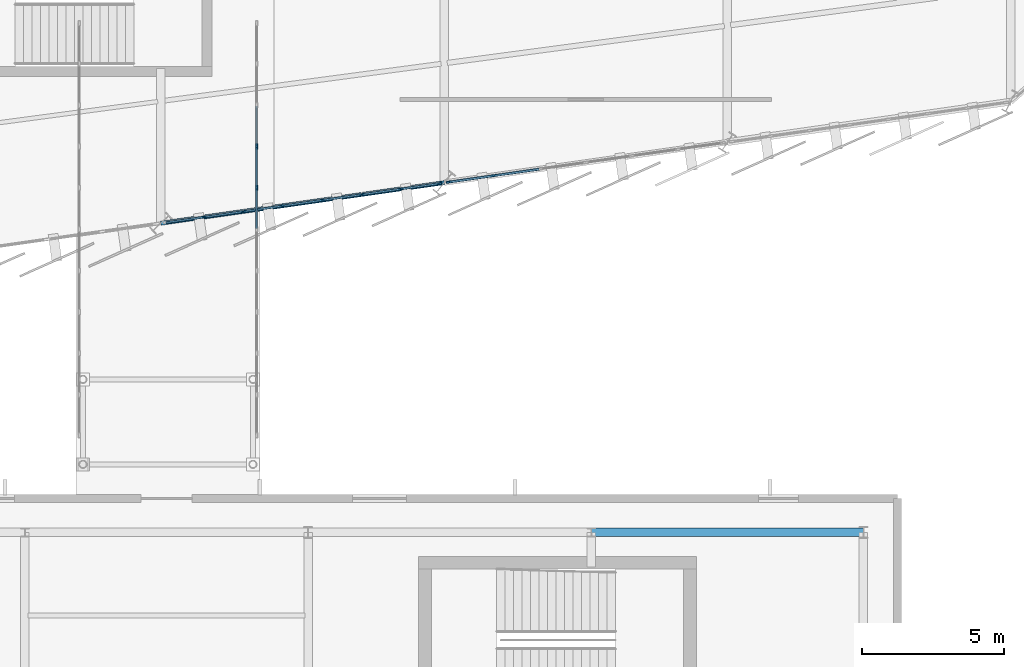
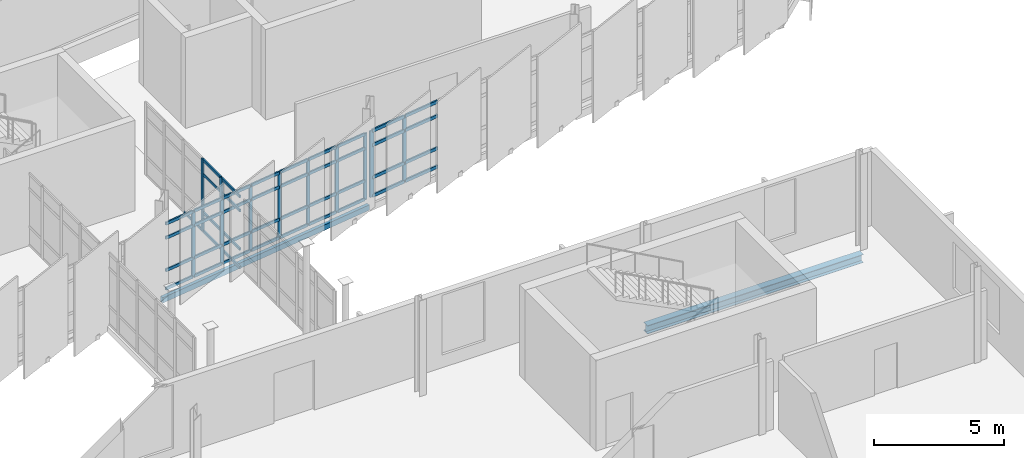
# One storey, part 62 of 134: 56 members, 2 beams, 3 elements without a shape of their own.
"""IFC4 building model written with IfcOpenShell, lengths in metres."""

from ifc_helpers import new_model, si_unit, direction, frame, origin, origin_2d, place, context, subcontext, project, spatial, rectangle, hollow_rectangle, i_section, extrude, material, layer, layer_set, material_profile, profile_set, type_object, element, aggregate, save


model = new_model("IFC4")

# Units and contexts
model_context = context("Model", 3, precision=1e-05, world=origin(), true_north=direction((0.0, 1.0)))
body_context = subcontext(model_context, "Body", "Model", "MODEL_VIEW")
ifc_project = project(units=[si_unit("LENGTHUNIT", "METRE"), si_unit("AREAUNIT", "SQUARE_METRE"), si_unit("VOLUMEUNIT", "CUBIC_METRE"), si_unit("PLANEANGLEUNIT", "RADIAN"), si_unit("MASSUNIT", "GRAM", prefix="KILO")], contexts=[model_context])

# Site, building, storey
site_placement = place(None, origin())
site = spatial("IfcSite", under=ifc_project, at=site_placement, CompositionType="ELEMENT")
building_placement = place(site_placement, origin())
building = spatial("IfcBuilding", under=site, at=building_placement, Name="Sohan Crest Arena", CompositionType="ELEMENT")
storey_placement = place(building_placement, frame((0.0, 0.0, 4.5)))
storey = spatial("IfcBuildingStorey", under=building, at=storey_placement, Name="L01", CompositionType="ELEMENT", Elevation=4.5)

# Curtain wall, members
ifc_material_1 = material(Name="Thermally broken anodised aluminium", Category="aluminium")
ifc_layer_1 = layer(ifc_material_1, 0.18994140625, Name="Thermally broken anodised aluminium")
ifc_layer_set_1 = layer_set([ifc_layer_1], Name="Thermally broken anodised aluminium")
curtain_wall_type_1 = type_object("IfcCurtainWallType", Name="ARC-CW05", PredefinedType="NOTDEFINED", material=ifc_layer_set_1)
curtain_wall_1_placement = place(storey_placement, origin())
curtain_wall_1 = element("IfcCurtainWall", 1, at=curtain_wall_1_placement, inside=storey, type_object=curtain_wall_type_1, Name="Unitised curtain wall CW-034", PredefinedType="NOTDEFINED")
ifc_material_profile_1 = material_profile(ifc_material_1, rectangle(XDim=0.06005859375, YDim=0.159912109375, at=origin_2d()), Name="ALU-MULL 60x160")
ifc_profile_set_1 = profile_set([ifc_material_profile_1], Name="Thermally broken anodised aluminium")
member_type_1 = type_object("IfcMemberType", Name="ARC-CW-ML01", PredefinedType="MULLION", material=ifc_profile_set_1)
member_1_placement = place(storey_placement, frame((139.520751953125, 35.930908203125, 0.0), z_axis=(0.0, 0.0, 1.0), x_axis=(-0.141549389674, 0.989931194722, 0.0)))
member_1 = element("IfcMember", 2, at=member_1_placement, type_object=member_type_1, Name="CW-034 mullion 2", PredefinedType="MULLION", context=body_context, shape_type="SweptSolid", body=[
    extrude(rectangle(XDim=0.06005859375, YDim=0.159912109375, at=origin_2d()), origin(), (0.0, 0.0, 1.0), 3.1201171875),
])
member_2_placement = place(storey_placement, frame((140.912353515625, 36.1298828125, 0.0), z_axis=(0.0, 0.0, 1.0), x_axis=(-0.141549389674, 0.989931194722, 0.0)))
member_2 = element("IfcMember", 3, at=member_2_placement, type_object=member_type_1, Name="CW-034 mullion 3", PredefinedType="MULLION", context=body_context, shape_type="SweptSolid", body=[
    extrude(rectangle(XDim=0.06005859375, YDim=0.159912109375, at=origin_2d()), origin(), (0.0, 0.0, 1.0), 3.1201171875),
])
member_3_placement = place(storey_placement, frame((142.30419921875, 36.3291015625, 0.0), z_axis=(0.0, 0.0, 1.0), x_axis=(-0.141549389674, 0.989931194722, 0.0)))
member_3 = element("IfcMember", 4, at=member_3_placement, type_object=member_type_1, Name="CW-034 mullion 4", PredefinedType="MULLION", context=body_context, shape_type="SweptSolid", body=[
    extrude(rectangle(XDim=0.06005859375, YDim=0.159912109375, at=origin_2d()), origin(), (0.0, 0.0, 1.0), 3.1201171875),
])
member_4_placement = place(storey_placement, frame((143.69580078125, 36.528076171875, 0.0), z_axis=(0.0, 0.0, 1.0), x_axis=(-0.141549389674, 0.989931194722, 0.0)))
member_4 = element("IfcMember", 5, at=member_4_placement, type_object=member_type_1, Name="CW-034 mullion 5", PredefinedType="MULLION", context=body_context, shape_type="SweptSolid", body=[
    extrude(rectangle(XDim=0.06005859375, YDim=0.159912109375, at=origin_2d()), origin(), (0.0, 0.0, 1.0), 3.1201171875),
])
member_5_placement = place(storey_placement, frame((145.087646484375, 36.72705078125, 0.0), z_axis=(0.0, 0.0, 1.0), x_axis=(-0.141549389674, 0.989931194722, 0.0)))
member_5 = element("IfcMember", 6, at=member_5_placement, type_object=member_type_1, Name="CW-034 mullion 6", PredefinedType="MULLION", context=body_context, shape_type="SweptSolid", body=[
    extrude(rectangle(XDim=0.06005859375, YDim=0.159912109375, at=origin_2d()), origin(), (0.0, 0.0, 1.0), 3.1201171875),
])
member_6_placement = place(storey_placement, frame((146.479248046875, 36.926025390625, 0.0), z_axis=(0.0, 0.0, 1.0), x_axis=(-0.141549389674, 0.989931194722, 0.0)))
member_6 = element("IfcMember", 7, at=member_6_placement, type_object=member_type_1, Name="CW-034 mullion 7", PredefinedType="MULLION", context=body_context, shape_type="SweptSolid", body=[
    extrude(rectangle(XDim=0.06005859375, YDim=0.159912109375, at=origin_2d()), origin(), (0.0, 0.0, 1.0), 3.1201171875),
])
member_7_placement = place(storey_placement, frame((147.84130859375, 37.120849609375, 0.0), z_axis=(0.0, 0.0, 1.0), x_axis=(-0.141549389674, 0.989931194722, 0.0)))
member_7 = element("IfcMember", 8, at=member_7_placement, type_object=member_type_1, Name="CW-034 mullion 8", PredefinedType="MULLION", context=body_context, shape_type="SweptSolid", body=[
    extrude(rectangle(XDim=0.06005859375, YDim=0.159912109375, at=origin_2d()), origin(), (0.0, 0.0, 1.0), 3.1201171875),
])

ifc_layer_2 = layer(ifc_material_1, 0.2099609375, Name="Thermally broken anodised aluminium")
ifc_layer_set_2 = layer_set([ifc_layer_2], Name="Thermally broken anodised aluminium")
curtain_wall_type_2 = type_object("IfcCurtainWallType", Name="ARC-CW06", PredefinedType="NOTDEFINED", material=ifc_layer_set_2)
curtain_wall_2_placement = place(storey_placement, origin())
curtain_wall_2 = element("IfcCurtainWall", 9, at=curtain_wall_2_placement, inside=storey, type_object=curtain_wall_type_2, Name="Unitised curtain wall CW-035", PredefinedType="NOTDEFINED")
ifc_material_profile_2 = material_profile(ifc_material_1, rectangle(XDim=0.06494140625, YDim=0.179931640625, at=origin_2d()), Name="ALU-MULL 65x180")
ifc_profile_set_2 = profile_set([ifc_material_profile_2], Name="Thermally broken anodised aluminium")
member_type_2 = type_object("IfcMemberType", Name="ARC-CW-ML02", PredefinedType="MULLION", material=ifc_profile_set_2)
member_8_placement = place(storey_placement, frame((148.1611328125, 37.16552734375, 0.0), z_axis=(0.0, 0.0, 1.0), x_axis=(-0.141449808729, 0.989945428602, 0.0)))
member_8 = element("IfcMember", 10, at=member_8_placement, type_object=member_type_2, Name="CW-035 mullion 1", PredefinedType="MULLION", context=body_context, shape_type="SweptSolid", body=[
    extrude(rectangle(XDim=0.06494140625, YDim=0.179931640625, at=origin_2d()), origin(), (0.0, 0.0, 1.0), 3.1201171875),
])
member_9_placement = place(storey_placement, frame((149.752685546875, 37.39306640625, 0.0), z_axis=(0.0, 0.0, 1.0), x_axis=(-0.141449808729, 0.989945428602, 0.0)))
member_9 = element("IfcMember", 11, at=member_9_placement, type_object=member_type_2, Name="CW-035 mullion 2", PredefinedType="MULLION", context=body_context, shape_type="SweptSolid", body=[
    extrude(rectangle(XDim=0.06494140625, YDim=0.179931640625, at=origin_2d()), origin(), (0.0, 0.0, 1.0), 3.1201171875),
])

curtain_wall_3_placement = place(storey_placement, origin())
curtain_wall_3 = element("IfcCurtainWall", 12, at=curtain_wall_3_placement, inside=storey, type_object=curtain_wall_type_1, Name="Unitised curtain wall CW-256", PredefinedType="NOTDEFINED")
member_10_placement = place(storey_placement, frame((141.3798828125, 36.9599609375, 0.0), z_axis=(0.0, 0.0, 1.0), x_axis=(-1.0, 0.0, 0.0)))
member_10 = element("IfcMember", 13, at=member_10_placement, type_object=member_type_2, Name="CW-256 mullion 7", PredefinedType="MULLION", context=body_context, shape_type="SweptSolid", body=[
    extrude(rectangle(XDim=0.06494140625, YDim=0.179931640625, at=origin_2d()), origin(), (0.0, 0.0, 1.0), 3.39990234375),
])
member_11_placement = place(storey_placement, frame((141.3798828125, 38.419921875, 0.0), z_axis=(0.0, 0.0, 1.0), x_axis=(-1.0, 0.0, 0.0)))
member_11 = element("IfcMember", 14, at=member_11_placement, type_object=member_type_2, Name="CW-256 mullion 8", PredefinedType="MULLION", context=body_context, shape_type="SweptSolid", body=[
    extrude(rectangle(XDim=0.06494140625, YDim=0.179931640625, at=origin_2d()), origin(), (0.0, 0.0, 1.0), 3.39990234375),
])
ifc_material_profile_3 = material_profile(ifc_material_1, rectangle(XDim=0.06005859375, YDim=0.1201171875, at=origin_2d()), Name="ALU-TRAN 60x120")
ifc_profile_set_3 = profile_set([ifc_material_profile_3], Name="Thermally broken anodised aluminium")
member_type_3 = type_object("IfcMemberType", Name="ARC-CW-TR01", PredefinedType="USERDEFINED", material=ifc_profile_set_3)
member_12_placement = place(storey_placement, frame((141.3798828125, 35.532470703125, 0.030029296875), z_axis=(0.0, 1.0, 0.0), x_axis=(-1.0, 0.0, 0.0)))
member_12 = element("IfcMember", 15, at=member_12_placement, type_object=member_type_3, Name="CW-256 transom 6.1", ObjectType="TRANSOM", PredefinedType="USERDEFINED", context=body_context, shape_type="SweptSolid", body=[
    extrude(rectangle(XDim=0.06005859375, YDim=0.1201171875, at=origin_2d()), origin(), (0.0, 0.0, 1.0), 1.39501953125),
])
member_13_placement = place(storey_placement, frame((141.3798828125, 35.532470703125, 0.89990234375), z_axis=(0.0, 1.0, 0.0), x_axis=(-1.0, 0.0, 0.0)))
member_13 = element("IfcMember", 16, at=member_13_placement, type_object=member_type_3, Name="CW-256 transom 6.2", ObjectType="TRANSOM", PredefinedType="USERDEFINED", context=body_context, shape_type="SweptSolid", body=[
    extrude(rectangle(XDim=0.06005859375, YDim=0.1201171875, at=origin_2d()), origin(), (0.0, 0.0, 1.0), 1.39501953125),
])
member_14_placement = place(storey_placement, frame((141.3798828125, 35.532470703125, 2.699951171875), z_axis=(0.0, 1.0, 0.0), x_axis=(-1.0, 0.0, 0.0)))
member_14 = element("IfcMember", 17, at=member_14_placement, type_object=member_type_3, Name="CW-256 transom 6.3", ObjectType="TRANSOM", PredefinedType="USERDEFINED", context=body_context, shape_type="SweptSolid", body=[
    extrude(rectangle(XDim=0.06005859375, YDim=0.1201171875, at=origin_2d()), origin(), (0.0, 0.0, 1.0), 1.39501953125),
])
member_15_placement = place(storey_placement, frame((141.3798828125, 35.532470703125, 3.3701171875), z_axis=(0.0, 1.0, 0.0), x_axis=(-1.0, 0.0, 0.0)))
member_15 = element("IfcMember", 18, at=member_15_placement, type_object=member_type_3, Name="CW-256 transom 6.4", ObjectType="TRANSOM", PredefinedType="USERDEFINED", context=body_context, shape_type="SweptSolid", body=[
    extrude(rectangle(XDim=0.06005859375, YDim=0.1201171875, at=origin_2d()), origin(), (0.0, 0.0, 1.0), 1.39501953125),
])
member_16_placement = place(storey_placement, frame((141.3798828125, 36.992431640625, 0.030029296875), z_axis=(0.0, 1.0, 0.0), x_axis=(-1.0, 0.0, 0.0)))
member_16 = element("IfcMember", 19, at=member_16_placement, type_object=member_type_3, Name="CW-256 transom 7.1", ObjectType="TRANSOM", PredefinedType="USERDEFINED", context=body_context, shape_type="SweptSolid", body=[
    extrude(rectangle(XDim=0.06005859375, YDim=0.1201171875, at=origin_2d()), origin(), (0.0, 0.0, 1.0), 1.39501953125),
])
member_17_placement = place(storey_placement, frame((141.3798828125, 36.992431640625, 0.89990234375), z_axis=(0.0, 1.0, 0.0), x_axis=(-1.0, 0.0, 0.0)))
member_17 = element("IfcMember", 20, at=member_17_placement, type_object=member_type_3, Name="CW-256 transom 7.2", ObjectType="TRANSOM", PredefinedType="USERDEFINED", context=body_context, shape_type="SweptSolid", body=[
    extrude(rectangle(XDim=0.06005859375, YDim=0.1201171875, at=origin_2d()), origin(), (0.0, 0.0, 1.0), 1.39501953125),
])
member_18_placement = place(storey_placement, frame((141.3798828125, 36.992431640625, 2.699951171875), z_axis=(0.0, 1.0, 0.0), x_axis=(-1.0, 0.0, 0.0)))
member_18 = element("IfcMember", 21, at=member_18_placement, type_object=member_type_3, Name="CW-256 transom 7.3", ObjectType="TRANSOM", PredefinedType="USERDEFINED", context=body_context, shape_type="SweptSolid", body=[
    extrude(rectangle(XDim=0.06005859375, YDim=0.1201171875, at=origin_2d()), origin(), (0.0, 0.0, 1.0), 1.39501953125),
])
member_19_placement = place(storey_placement, frame((141.3798828125, 36.992431640625, 3.3701171875), z_axis=(0.0, 1.0, 0.0), x_axis=(-1.0, 0.0, 0.0)))
member_19 = element("IfcMember", 22, at=member_19_placement, type_object=member_type_3, Name="CW-256 transom 7.4", ObjectType="TRANSOM", PredefinedType="USERDEFINED", context=body_context, shape_type="SweptSolid", body=[
    extrude(rectangle(XDim=0.06005859375, YDim=0.1201171875, at=origin_2d()), origin(), (0.0, 0.0, 1.0), 1.39501953125),
])
member_20_placement = place(storey_placement, frame((141.3798828125, 38.452392578125, 0.030029296875), z_axis=(0.0, 1.0, 0.0), x_axis=(-1.0, 0.0, 0.0)))
member_20 = element("IfcMember", 23, at=member_20_placement, type_object=member_type_3, Name="CW-256 transom 8.1", ObjectType="TRANSOM", PredefinedType="USERDEFINED", context=body_context, shape_type="SweptSolid", body=[
    extrude(rectangle(XDim=0.06005859375, YDim=0.1201171875, at=origin_2d()), origin(), (0.0, 0.0, 1.0), 1.39501953125),
])
aggregate(curtain_wall_3, [member_10, member_11, member_12, member_13, member_14, member_15, member_16, member_17, member_18, member_19, member_20])

# Member
ifc_material_profile_4 = material_profile(ifc_material_1, rectangle(XDim=0.06494140625, YDim=0.139892578125, at=origin_2d()), Name="ALU-TRAN 65x140")
ifc_profile_set_4 = profile_set([ifc_material_profile_4], Name="Thermally broken anodised aluminium")
member_type_4 = type_object("IfcMemberType", Name="ARC-CW-TR02", PredefinedType="USERDEFINED", material=ifc_profile_set_4)
member_21_placement = place(storey_placement, frame((138.1884765625, 35.740478515625, 0.032470703125), z_axis=(0.989927214987, 0.141577219313, 0.0), x_axis=(-0.141577219313, 0.989927214987, 0.0)))
member_21 = element("IfcMember", 24, at=member_21_placement, type_object=member_type_4, Name="CW-034 transom 1.1", ObjectType="TRANSOM", PredefinedType="USERDEFINED", context=body_context, shape_type="SweptSolid", body=[
    extrude(rectangle(XDim=0.06494140625, YDim=0.139892578125, at=origin_2d()), origin(), (0.0, 0.0, 1.0), 1.315673828125),
])

member_22_placement = place(storey_placement, frame((138.1884765625, 35.740478515625, 0.89990234375), z_axis=(0.989927214987, 0.141577219313, 0.0), x_axis=(-0.141577219313, 0.989927214987, 0.0)))
member_22 = element("IfcMember", 25, at=member_22_placement, type_object=member_type_4, Name="CW-034 transom 1.2", ObjectType="TRANSOM", PredefinedType="USERDEFINED", context=body_context, shape_type="SweptSolid", body=[
    extrude(rectangle(XDim=0.06494140625, YDim=0.139892578125, at=origin_2d()), origin(), (0.0, 0.0, 1.0), 1.315673828125),
])

member_23_placement = place(storey_placement, frame((138.1884765625, 35.740478515625, 2.419921875), z_axis=(0.989927214987, 0.141577219313, 0.0), x_axis=(-0.141577219313, 0.989927214987, 0.0)))
member_23 = element("IfcMember", 26, at=member_23_placement, type_object=member_type_4, Name="CW-034 transom 1.3", ObjectType="TRANSOM", PredefinedType="USERDEFINED", context=body_context, shape_type="SweptSolid", body=[
    extrude(rectangle(XDim=0.06494140625, YDim=0.139892578125, at=origin_2d()), origin(), (0.0, 0.0, 1.0), 1.315673828125),
])

member_24_placement = place(storey_placement, frame((138.1884765625, 35.740478515625, 3.08740234375), z_axis=(0.989927214987, 0.141577219313, 0.0), x_axis=(-0.141577219313, 0.989927214987, 0.0)))
member_24 = element("IfcMember", 27, at=member_24_placement, type_object=member_type_4, Name="CW-034 transom 1.4", ObjectType="TRANSOM", PredefinedType="USERDEFINED", context=body_context, shape_type="SweptSolid", body=[
    extrude(rectangle(XDim=0.06494140625, YDim=0.139892578125, at=origin_2d()), origin(), (0.0, 0.0, 1.0), 1.315673828125),
])

member_25_placement = place(storey_placement, frame((139.55029296875, 35.935302734375, 0.032470703125), z_axis=(0.989942237377, 0.141472140922, 0.0), x_axis=(-0.141472140922, 0.989942237377, 0.0)))
member_25 = element("IfcMember", 28, at=member_25_placement, type_object=member_type_4, Name="CW-034 transom 2.1", ObjectType="TRANSOM", PredefinedType="USERDEFINED", context=body_context, shape_type="SweptSolid", body=[
    extrude(rectangle(XDim=0.06494140625, YDim=0.139892578125, at=origin_2d()), origin(), (0.0, 0.0, 1.0), 1.345947265625),
])

member_26_placement = place(storey_placement, frame((139.55029296875, 35.935302734375, 0.89990234375), z_axis=(0.989942237377, 0.141472140922, 0.0), x_axis=(-0.141472140922, 0.989942237377, 0.0)))
member_26 = element("IfcMember", 29, at=member_26_placement, type_object=member_type_4, Name="CW-034 transom 2.2", ObjectType="TRANSOM", PredefinedType="USERDEFINED", context=body_context, shape_type="SweptSolid", body=[
    extrude(rectangle(XDim=0.06494140625, YDim=0.139892578125, at=origin_2d()), origin(), (0.0, 0.0, 1.0), 1.345947265625),
])

member_27_placement = place(storey_placement, frame((139.55029296875, 35.935302734375, 2.419921875), z_axis=(0.989942237377, 0.141472140922, 0.0), x_axis=(-0.141472140922, 0.989942237377, 0.0)))
member_27 = element("IfcMember", 30, at=member_27_placement, type_object=member_type_4, Name="CW-034 transom 2.3", ObjectType="TRANSOM", PredefinedType="USERDEFINED", context=body_context, shape_type="SweptSolid", body=[
    extrude(rectangle(XDim=0.06494140625, YDim=0.139892578125, at=origin_2d()), origin(), (0.0, 0.0, 1.0), 1.345947265625),
])

member_28_placement = place(storey_placement, frame((139.55029296875, 35.935302734375, 3.08740234375), z_axis=(0.989942237377, 0.141472140922, 0.0), x_axis=(-0.141472140922, 0.989942237377, 0.0)))
member_28 = element("IfcMember", 31, at=member_28_placement, type_object=member_type_4, Name="CW-034 transom 2.4", ObjectType="TRANSOM", PredefinedType="USERDEFINED", context=body_context, shape_type="SweptSolid", body=[
    extrude(rectangle(XDim=0.06494140625, YDim=0.139892578125, at=origin_2d()), origin(), (0.0, 0.0, 1.0), 1.345947265625),
])

member_29_placement = place(storey_placement, frame((140.942138671875, 36.13427734375, 0.032470703125), z_axis=(0.989938606302, 0.141497546805, 0.0), x_axis=(-0.141497546805, 0.989938606302, 0.0)))
member_29 = element("IfcMember", 32, at=member_29_placement, type_object=member_type_4, Name="CW-034 transom 3.1", ObjectType="TRANSOM", PredefinedType="USERDEFINED", context=body_context, shape_type="SweptSolid", body=[
    extrude(rectangle(XDim=0.06494140625, YDim=0.139892578125, at=origin_2d()), origin(), (0.0, 0.0, 1.0), 1.345703125),
])

member_30_placement = place(storey_placement, frame((140.942138671875, 36.13427734375, 0.89990234375), z_axis=(0.989938606302, 0.141497546805, 0.0), x_axis=(-0.141497546805, 0.989938606302, 0.0)))
member_30 = element("IfcMember", 33, at=member_30_placement, type_object=member_type_4, Name="CW-034 transom 3.2", ObjectType="TRANSOM", PredefinedType="USERDEFINED", context=body_context, shape_type="SweptSolid", body=[
    extrude(rectangle(XDim=0.06494140625, YDim=0.139892578125, at=origin_2d()), origin(), (0.0, 0.0, 1.0), 1.345703125),
])

member_31_placement = place(storey_placement, frame((140.942138671875, 36.13427734375, 2.419921875), z_axis=(0.989938606302, 0.141497546805, 0.0), x_axis=(-0.141497546805, 0.989938606302, 0.0)))
member_31 = element("IfcMember", 34, at=member_31_placement, type_object=member_type_4, Name="CW-034 transom 3.3", ObjectType="TRANSOM", PredefinedType="USERDEFINED", context=body_context, shape_type="SweptSolid", body=[
    extrude(rectangle(XDim=0.06494140625, YDim=0.139892578125, at=origin_2d()), origin(), (0.0, 0.0, 1.0), 1.345703125),
])

member_32_placement = place(storey_placement, frame((140.942138671875, 36.13427734375, 3.08740234375), z_axis=(0.989938606302, 0.141497546805, 0.0), x_axis=(-0.141497546805, 0.989938606302, 0.0)))
member_32 = element("IfcMember", 35, at=member_32_placement, type_object=member_type_4, Name="CW-034 transom 3.4", ObjectType="TRANSOM", PredefinedType="USERDEFINED", context=body_context, shape_type="SweptSolid", body=[
    extrude(rectangle(XDim=0.06494140625, YDim=0.139892578125, at=origin_2d()), origin(), (0.0, 0.0, 1.0), 1.345703125),
])

member_33_placement = place(storey_placement, frame((142.333740234375, 36.333251953125, 0.032470703125), z_axis=(0.989942237377, 0.141472140922, 0.0), x_axis=(-0.141472140922, 0.989942237377, 0.0)))
member_33 = element("IfcMember", 36, at=member_33_placement, type_object=member_type_4, Name="CW-034 transom 4.1", ObjectType="TRANSOM", PredefinedType="USERDEFINED", context=body_context, shape_type="SweptSolid", body=[
    extrude(rectangle(XDim=0.06494140625, YDim=0.139892578125, at=origin_2d()), origin(), (0.0, 0.0, 1.0), 1.345947265625),
])

member_34_placement = place(storey_placement, frame((142.333740234375, 36.333251953125, 0.89990234375), z_axis=(0.989942237377, 0.141472140922, 0.0), x_axis=(-0.141472140922, 0.989942237377, 0.0)))
member_34 = element("IfcMember", 37, at=member_34_placement, type_object=member_type_4, Name="CW-034 transom 4.2", ObjectType="TRANSOM", PredefinedType="USERDEFINED", context=body_context, shape_type="SweptSolid", body=[
    extrude(rectangle(XDim=0.06494140625, YDim=0.139892578125, at=origin_2d()), origin(), (0.0, 0.0, 1.0), 1.345947265625),
])

member_35_placement = place(storey_placement, frame((142.333740234375, 36.333251953125, 2.419921875), z_axis=(0.989942237377, 0.141472140922, 0.0), x_axis=(-0.141472140922, 0.989942237377, 0.0)))
member_35 = element("IfcMember", 38, at=member_35_placement, type_object=member_type_4, Name="CW-034 transom 4.3", ObjectType="TRANSOM", PredefinedType="USERDEFINED", context=body_context, shape_type="SweptSolid", body=[
    extrude(rectangle(XDim=0.06494140625, YDim=0.139892578125, at=origin_2d()), origin(), (0.0, 0.0, 1.0), 1.345947265625),
])

member_36_placement = place(storey_placement, frame((142.333740234375, 36.333251953125, 3.08740234375), z_axis=(0.989942237377, 0.141472140922, 0.0), x_axis=(-0.141472140922, 0.989942237377, 0.0)))
member_36 = element("IfcMember", 39, at=member_36_placement, type_object=member_type_4, Name="CW-034 transom 4.4", ObjectType="TRANSOM", PredefinedType="USERDEFINED", context=body_context, shape_type="SweptSolid", body=[
    extrude(rectangle(XDim=0.06494140625, YDim=0.139892578125, at=origin_2d()), origin(), (0.0, 0.0, 1.0), 1.345947265625),
])

member_37_placement = place(storey_placement, frame((143.7255859375, 36.5322265625, 0.032470703125), z_axis=(0.989938606302, 0.141497546805, 0.0), x_axis=(-0.141497546805, 0.989938606302, 0.0)))
member_37 = element("IfcMember", 40, at=member_37_placement, type_object=member_type_4, Name="CW-034 transom 5.1", ObjectType="TRANSOM", PredefinedType="USERDEFINED", context=body_context, shape_type="SweptSolid", body=[
    extrude(rectangle(XDim=0.06494140625, YDim=0.139892578125, at=origin_2d()), origin(), (0.0, 0.0, 1.0), 1.345703125),
])

member_38_placement = place(storey_placement, frame((143.7255859375, 36.5322265625, 0.89990234375), z_axis=(0.989938606302, 0.141497546805, 0.0), x_axis=(-0.141497546805, 0.989938606302, 0.0)))
member_38 = element("IfcMember", 41, at=member_38_placement, type_object=member_type_4, Name="CW-034 transom 5.2", ObjectType="TRANSOM", PredefinedType="USERDEFINED", context=body_context, shape_type="SweptSolid", body=[
    extrude(rectangle(XDim=0.06494140625, YDim=0.139892578125, at=origin_2d()), origin(), (0.0, 0.0, 1.0), 1.345703125),
])

member_39_placement = place(storey_placement, frame((143.7255859375, 36.5322265625, 2.419921875), z_axis=(0.989938606302, 0.141497546805, 0.0), x_axis=(-0.141497546805, 0.989938606302, 0.0)))
member_39 = element("IfcMember", 42, at=member_39_placement, type_object=member_type_4, Name="CW-034 transom 5.3", ObjectType="TRANSOM", PredefinedType="USERDEFINED", context=body_context, shape_type="SweptSolid", body=[
    extrude(rectangle(XDim=0.06494140625, YDim=0.139892578125, at=origin_2d()), origin(), (0.0, 0.0, 1.0), 1.345703125),
])

member_40_placement = place(storey_placement, frame((143.7255859375, 36.5322265625, 3.08740234375), z_axis=(0.989938606302, 0.141497546805, 0.0), x_axis=(-0.141497546805, 0.989938606302, 0.0)))
member_40 = element("IfcMember", 43, at=member_40_placement, type_object=member_type_4, Name="CW-034 transom 5.4", ObjectType="TRANSOM", PredefinedType="USERDEFINED", context=body_context, shape_type="SweptSolid", body=[
    extrude(rectangle(XDim=0.06494140625, YDim=0.139892578125, at=origin_2d()), origin(), (0.0, 0.0, 1.0), 1.345703125),
])

member_41_placement = place(storey_placement, frame((145.1171875, 36.731201171875, 0.032470703125), z_axis=(0.989916820705, 0.141649878522, 0.0), x_axis=(-0.141649878522, 0.989916820705, 0.0)))
member_41 = element("IfcMember", 44, at=member_41_placement, type_object=member_type_4, Name="CW-034 transom 6.1", ObjectType="TRANSOM", PredefinedType="USERDEFINED", context=body_context, shape_type="SweptSolid", body=[
    extrude(rectangle(XDim=0.06494140625, YDim=0.139892578125, at=origin_2d()), origin(), (0.0, 0.0, 1.0), 1.34619140625),
])

member_42_placement = place(storey_placement, frame((145.1171875, 36.731201171875, 0.89990234375), z_axis=(0.989916820705, 0.141649878522, 0.0), x_axis=(-0.141649878522, 0.989916820705, 0.0)))
member_42 = element("IfcMember", 45, at=member_42_placement, type_object=member_type_4, Name="CW-034 transom 6.2", ObjectType="TRANSOM", PredefinedType="USERDEFINED", context=body_context, shape_type="SweptSolid", body=[
    extrude(rectangle(XDim=0.06494140625, YDim=0.139892578125, at=origin_2d()), origin(), (0.0, 0.0, 1.0), 1.34619140625),
])

member_43_placement = place(storey_placement, frame((145.1171875, 36.731201171875, 2.419921875), z_axis=(0.989916820705, 0.141649878522, 0.0), x_axis=(-0.141649878522, 0.989916820705, 0.0)))
member_43 = element("IfcMember", 46, at=member_43_placement, type_object=member_type_4, Name="CW-034 transom 6.3", ObjectType="TRANSOM", PredefinedType="USERDEFINED", context=body_context, shape_type="SweptSolid", body=[
    extrude(rectangle(XDim=0.06494140625, YDim=0.139892578125, at=origin_2d()), origin(), (0.0, 0.0, 1.0), 1.34619140625),
])

member_44_placement = place(storey_placement, frame((145.1171875, 36.731201171875, 3.08740234375), z_axis=(0.989916820705, 0.141649878522, 0.0), x_axis=(-0.141649878522, 0.989916820705, 0.0)))
member_44 = element("IfcMember", 47, at=member_44_placement, type_object=member_type_4, Name="CW-034 transom 6.4", ObjectType="TRANSOM", PredefinedType="USERDEFINED", context=body_context, shape_type="SweptSolid", body=[
    extrude(rectangle(XDim=0.06494140625, YDim=0.139892578125, at=origin_2d()), origin(), (0.0, 0.0, 1.0), 1.34619140625),
])

member_45_placement = place(storey_placement, frame((146.509033203125, 36.93017578125, 0.032470703125), z_axis=(0.989927214987, 0.141577219313, 0.0), x_axis=(-0.141577219313, 0.989927214987, 0.0)))
member_45 = element("IfcMember", 48, at=member_45_placement, type_object=member_type_4, Name="CW-034 transom 7.1", ObjectType="TRANSOM", PredefinedType="USERDEFINED", context=body_context, shape_type="SweptSolid", body=[
    extrude(rectangle(XDim=0.06494140625, YDim=0.139892578125, at=origin_2d()), origin(), (0.0, 0.0, 1.0), 1.315673828125),
])

member_46_placement = place(storey_placement, frame((146.509033203125, 36.93017578125, 0.89990234375), z_axis=(0.989927214987, 0.141577219313, 0.0), x_axis=(-0.141577219313, 0.989927214987, 0.0)))
member_46 = element("IfcMember", 49, at=member_46_placement, type_object=member_type_4, Name="CW-034 transom 7.2", ObjectType="TRANSOM", PredefinedType="USERDEFINED", context=body_context, shape_type="SweptSolid", body=[
    extrude(rectangle(XDim=0.06494140625, YDim=0.139892578125, at=origin_2d()), origin(), (0.0, 0.0, 1.0), 1.315673828125),
])

member_47_placement = place(storey_placement, frame((146.509033203125, 36.93017578125, 2.419921875), z_axis=(0.989927214987, 0.141577219313, 0.0), x_axis=(-0.141577219313, 0.989927214987, 0.0)))
member_47 = element("IfcMember", 50, at=member_47_placement, type_object=member_type_4, Name="CW-034 transom 7.3", ObjectType="TRANSOM", PredefinedType="USERDEFINED", context=body_context, shape_type="SweptSolid", body=[
    extrude(rectangle(XDim=0.06494140625, YDim=0.139892578125, at=origin_2d()), origin(), (0.0, 0.0, 1.0), 1.315673828125),
])

member_48_placement = place(storey_placement, frame((146.509033203125, 36.93017578125, 3.08740234375), z_axis=(0.989927214987, 0.141577219313, 0.0), x_axis=(-0.141577219313, 0.989927214987, 0.0)))
member_48 = element("IfcMember", 51, at=member_48_placement, type_object=member_type_4, Name="CW-034 transom 7.4", ObjectType="TRANSOM", PredefinedType="USERDEFINED", context=body_context, shape_type="SweptSolid", body=[
    extrude(rectangle(XDim=0.06494140625, YDim=0.139892578125, at=origin_2d()), origin(), (0.0, 0.0, 1.0), 1.315673828125),
])

aggregate(curtain_wall_1, [member_1, member_2, member_3, member_4, member_5, member_6, member_7, member_21, member_22, member_23, member_24, member_25, member_26, member_27, member_28, member_29, member_30, member_31, member_32, member_33, member_34, member_35, member_36, member_37, member_38, member_39, member_40, member_41, member_42, member_43, member_44, member_45, member_46, member_47, member_48])

ifc_material_profile_5 = material_profile(ifc_material_1, rectangle(XDim=0.070068359375, YDim=0.14990234375, at=origin_2d()), Name="ALU-TRAN 70x150")
ifc_profile_set_5 = profile_set([ifc_material_profile_5], Name="Thermally broken anodised aluminium")
member_type_5 = type_object("IfcMemberType", Name="ARC-CW-TR03", PredefinedType="USERDEFINED", material=ifc_profile_set_5)
member_49_placement = place(storey_placement, frame((148.193359375, 37.170166015625, 0.034912109375), z_axis=(0.989939995602, 0.14148782671, 0.0), x_axis=(-0.14148782671, 0.989939995602, 0.0)))
member_49 = element("IfcMember", 52, at=member_49_placement, type_object=member_type_5, Name="CW-035 transom 1.1", ObjectType="TRANSOM", PredefinedType="USERDEFINED", context=body_context, shape_type="SweptSolid", body=[
    extrude(rectangle(XDim=0.070068359375, YDim=0.14990234375, at=origin_2d()), origin(), (0.0, 0.0, 1.0), 1.542724609375),
])

member_50_placement = place(storey_placement, frame((148.193359375, 37.170166015625, 0.89990234375), z_axis=(0.989939995602, 0.14148782671, 0.0), x_axis=(-0.14148782671, 0.989939995602, 0.0)))
member_50 = element("IfcMember", 53, at=member_50_placement, type_object=member_type_5, Name="CW-035 transom 1.2", ObjectType="TRANSOM", PredefinedType="USERDEFINED", context=body_context, shape_type="SweptSolid", body=[
    extrude(rectangle(XDim=0.070068359375, YDim=0.14990234375, at=origin_2d()), origin(), (0.0, 0.0, 1.0), 1.542724609375),
])

member_51_placement = place(storey_placement, frame((148.193359375, 37.170166015625, 2.419921875), z_axis=(0.989939995602, 0.14148782671, 0.0), x_axis=(-0.14148782671, 0.989939995602, 0.0)))
member_51 = element("IfcMember", 54, at=member_51_placement, type_object=member_type_5, Name="CW-035 transom 1.3", ObjectType="TRANSOM", PredefinedType="USERDEFINED", context=body_context, shape_type="SweptSolid", body=[
    extrude(rectangle(XDim=0.070068359375, YDim=0.14990234375, at=origin_2d()), origin(), (0.0, 0.0, 1.0), 1.542724609375),
])

member_52_placement = place(storey_placement, frame((148.193359375, 37.170166015625, 3.0849609375), z_axis=(0.989939995602, 0.14148782671, 0.0), x_axis=(-0.14148782671, 0.989939995602, 0.0)))
member_52 = element("IfcMember", 55, at=member_52_placement, type_object=member_type_5, Name="CW-035 transom 1.4", ObjectType="TRANSOM", PredefinedType="USERDEFINED", context=body_context, shape_type="SweptSolid", body=[
    extrude(rectangle(XDim=0.070068359375, YDim=0.14990234375, at=origin_2d()), origin(), (0.0, 0.0, 1.0), 1.542724609375),
])

member_53_placement = place(storey_placement, frame((149.784912109375, 37.397705078125, 0.034912109375), z_axis=(0.989958791275, 0.141356257655, 0.0), x_axis=(-0.141356257655, 0.989958791275, 0.0)))
member_53 = element("IfcMember", 56, at=member_53_placement, type_object=member_type_5, Name="CW-035 transom 2.1", ObjectType="TRANSOM", PredefinedType="USERDEFINED", context=body_context, shape_type="SweptSolid", body=[
    extrude(rectangle(XDim=0.070068359375, YDim=0.14990234375, at=origin_2d()), origin(), (0.0, 0.0, 1.0), 1.5751953125),
])

member_54_placement = place(storey_placement, frame((149.784912109375, 37.397705078125, 0.89990234375), z_axis=(0.989958791275, 0.141356257655, 0.0), x_axis=(-0.141356257655, 0.989958791275, 0.0)))
member_54 = element("IfcMember", 57, at=member_54_placement, type_object=member_type_5, Name="CW-035 transom 2.2", ObjectType="TRANSOM", PredefinedType="USERDEFINED", context=body_context, shape_type="SweptSolid", body=[
    extrude(rectangle(XDim=0.070068359375, YDim=0.14990234375, at=origin_2d()), origin(), (0.0, 0.0, 1.0), 1.5751953125),
])

member_55_placement = place(storey_placement, frame((149.784912109375, 37.397705078125, 2.419921875), z_axis=(0.989958791275, 0.141356257655, 0.0), x_axis=(-0.141356257655, 0.989958791275, 0.0)))
member_55 = element("IfcMember", 58, at=member_55_placement, type_object=member_type_5, Name="CW-035 transom 2.3", ObjectType="TRANSOM", PredefinedType="USERDEFINED", context=body_context, shape_type="SweptSolid", body=[
    extrude(rectangle(XDim=0.070068359375, YDim=0.14990234375, at=origin_2d()), origin(), (0.0, 0.0, 1.0), 1.5751953125),
])

member_56_placement = place(storey_placement, frame((149.784912109375, 37.397705078125, 3.0849609375), z_axis=(0.989958791275, 0.141356257655, 0.0), x_axis=(-0.141356257655, 0.989958791275, 0.0)))
member_56 = element("IfcMember", 59, at=member_56_placement, type_object=member_type_5, Name="CW-035 transom 2.4", ObjectType="TRANSOM", PredefinedType="USERDEFINED", context=body_context, shape_type="SweptSolid", body=[
    extrude(rectangle(XDim=0.070068359375, YDim=0.14990234375, at=origin_2d()), origin(), (0.0, 0.0, 1.0), 1.5751953125),
])

aggregate(curtain_wall_2, [member_8, member_9, member_49, member_50, member_51, member_52, member_53, member_54, member_55, member_56])

# Beams
ifc_material_2 = material(Name="Steel S355", Category="steel")
ifc_material_profile_6 = material_profile(ifc_material_2, i_section(OverallWidth=0.300048828125, OverallDepth=0.389892578125, WebThickness=0.010986328125, FlangeThickness=0.01904296875, at=origin_2d()), Name="HEA 400")
ifc_profile_set_6 = profile_set([ifc_material_profile_6], Name="Steel S355")
beam_type_1 = type_object("IfcBeamType", Name="STR-BM-B09", PredefinedType="BEAM", material=ifc_profile_set_6)
beam_1_placement = place(storey_placement, frame((153.199951171875, 24.800048828125, -0.445068359375), z_axis=(1.0, 0.0, 0.0), x_axis=(0.0, 1.0, 0.0)))
element("IfcBeam", 60, at=beam_1_placement, inside=storey, type_object=beam_type_1, Name="Structural beam G-L01-2627", PredefinedType="BEAM", context=body_context, shape_type="SweptSolid", body=[
    extrude(i_section(OverallWidth=0.300048828125, OverallDepth=0.389892578125, WebThickness=0.010986328125, FlangeThickness=0.01904296875, at=origin_2d()), origin(), (0.0, 0.0, 1.0), 9.60009765625),
])
ifc_material_profile_7 = material_profile(ifc_material_2, hollow_rectangle(XDim=0.14990234375, YDim=0.25, WallThickness=0.010009765625, at=origin_2d()), Name="RHS 250x150x10")
ifc_profile_set_7 = profile_set([ifc_material_profile_7], Name="Steel S355")
beam_type_2 = type_object("IfcBeamType", Name="STR-BM-SP02", PredefinedType="SPANDREL", material=ifc_profile_set_7)
beam_2_placement = place(storey_placement, frame((138.0, 35.714111328125, -0.39990234375), z_axis=(0.989944175879, 0.141458575718, 0.0), x_axis=(-0.141458575718, 0.989944175879, 0.0)))
element("IfcBeam", 61, at=beam_2_placement, inside=storey, type_object=beam_type_2, Name="Structural beam SP-L01-1160", PredefinedType="SPANDREL", context=body_context, shape_type="SweptSolid", body=[
    extrude(hollow_rectangle(XDim=0.14990234375, YDim=0.25, WallThickness=0.010009765625, at=origin_2d()), origin(), (0.0, 0.0, 1.0), 10.1015625),
])

save(model, "model.ifc")
